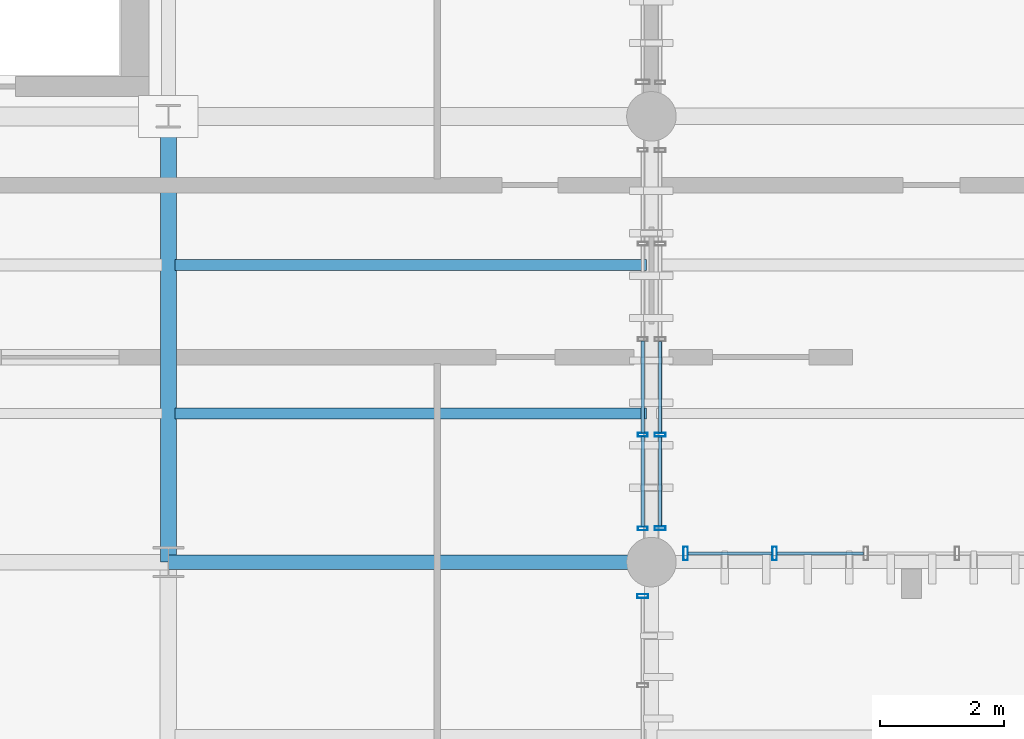
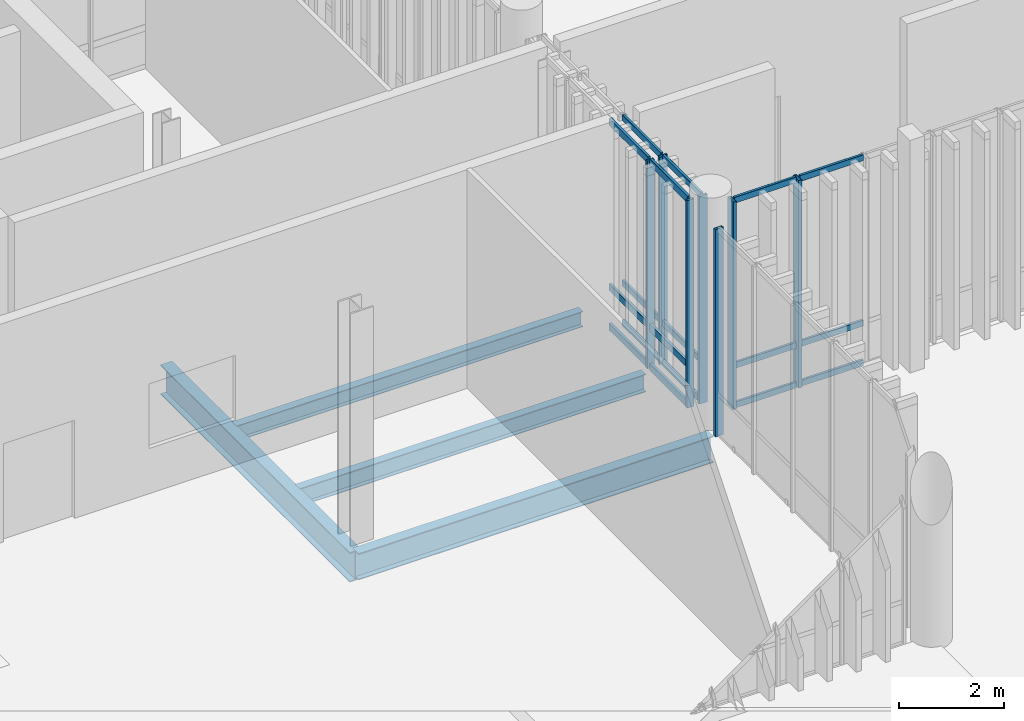
# One storey, part 31 of 112: 25 members, 4 beams, 4 elements without a shape of their own.
"""IFC4 building model written with IfcOpenShell, lengths in metres."""

from ifc_helpers import new_model, si_unit, direction, frame, origin_with_axes, origin_2d_with_axis, place, context, subcontext, project, spatial, hollow_rectangle, i_section, extrude, material, material_profile, profile_set, type_object, element, aggregate, save


model = new_model("IFC4")

# Units and contexts
model_context = context("Model", 3, precision=1e-05, world=origin_with_axes(), true_north=direction((0.0, 1.0)))
body_context = subcontext(model_context, "Body", "Model", "MODEL_VIEW")
ifc_project = project(units=[si_unit("LENGTHUNIT", "METRE"), si_unit("AREAUNIT", "SQUARE_METRE"), si_unit("VOLUMEUNIT", "CUBIC_METRE"), si_unit("PLANEANGLEUNIT", "RADIAN"), si_unit("MASSUNIT", "GRAM", prefix="KILO"), si_unit("THERMODYNAMICTEMPERATUREUNIT", "KELVIN")], contexts=[model_context])

# Site, building, storey
site_placement = place(None, origin_with_axes())
site = spatial("IfcSite", under=ifc_project, at=site_placement, CompositionType="ELEMENT")
building_placement = place(site_placement, origin_with_axes())
building = spatial("IfcBuilding", under=site, at=building_placement, Name="Montbau Bow Law Courts", CompositionType="ELEMENT")
storey_placement = place(building_placement, origin_with_axes())
storey = spatial("IfcBuildingStorey", under=building, at=storey_placement, Name="L00", CompositionType="ELEMENT", Elevation=0.0)

# Beams
ifc_material_1 = material(Name="Steel CSA G40.21 Grade 350W (350 MPa)", Category="steel")
ifc_material_profile_1 = material_profile(ifc_material_1, i_section(OverallWidth=0.254, OverallDepth=0.688, WebThickness=0.0131, FlangeThickness=0.0211, at=origin_2d_with_axis()), Name="W690X152", Category="Main", Priority=0)
ifc_profile_set_1 = profile_set([ifc_material_profile_1], Name="Steel CSA G40.21 Grade 350W (350 MPa)")
beam_type_1 = type_object("IfcBeamType", Name="B-FLR-04", PredefinedType="BEAM", material=ifc_profile_set_1)
beam_1_placement = place(None, frame((39.0, 39.0, -0.684), z_axis=(0.0, 1.0, 0.0), x_axis=(-1.0, 0.0, 0.0)))
element("IfcBeam", 1, at=beam_1_placement, inside=storey, type_object=beam_type_1, Name="BM-L00-S0264:bm2_0267", PredefinedType="BEAM", context=body_context, shape_type="SweptSolid", body=[
    extrude(i_section(OverallWidth=0.254, OverallDepth=0.688, WebThickness=0.0131, FlangeThickness=0.0211, at=origin_2d_with_axis()), origin_with_axes(), (0.0, 0.0, 1.0), 7.2),
])
ifc_material_profile_2 = material_profile(ifc_material_1, i_section(OverallWidth=0.229, OverallDepth=0.612, WebThickness=0.0119, FlangeThickness=0.0196, at=origin_2d_with_axis()), Name="W610X125", Category="Main", Priority=0)
ifc_profile_set_2 = profile_set([ifc_material_profile_2], Name="Steel CSA G40.21 Grade 350W (350 MPa)")
beam_type_2 = type_object("IfcBeamType", Name="B-FLR-05", PredefinedType="BEAM", material=ifc_profile_set_2)
beam_2_placement = place(None, frame((39.0, 39.0, -0.646), z_axis=(1.0, 0.0, 0.0), x_axis=(0.0, 1.0, 0.0)))
element("IfcBeam", 2, at=beam_2_placement, inside=storey, type_object=beam_type_2, Name="BM-L00-S0187:bm2_0190", PredefinedType="BEAM", context=body_context, shape_type="SweptSolid", body=[
    extrude(i_section(OverallWidth=0.229, OverallDepth=0.612, WebThickness=0.0119, FlangeThickness=0.0196, at=origin_2d_with_axis()), origin_with_axes(), (0.0, 0.0, 1.0), 7.8),
])
ifc_material_profile_3 = material_profile(ifc_material_1, i_section(OverallWidth=0.179, OverallDepth=0.41, WebThickness=0.0088, FlangeThickness=0.0144, at=origin_2d_with_axis()), Name="W410X67", Category="Main", Priority=0)
ifc_profile_set_3 = profile_set([ifc_material_profile_3], Name="Steel CSA G40.21 Grade 350W (350 MPa)")
beam_type_3 = type_object("IfcBeamType", Name="B-JST-02", PredefinedType="JOIST", material=ifc_profile_set_3)
beam_3_placement = place(None, frame((39.103, 41.4, -0.545), z_axis=(1.0, 0.0, 0.0), x_axis=(0.0, 1.0, 0.0)))
element("IfcBeam", 3, at=beam_3_placement, inside=storey, type_object=beam_type_3, Name="JST-L00-S0037:jst2_0037", PredefinedType="JOIST", context=body_context, shape_type="SweptSolid", body=[
    extrude(i_section(OverallWidth=0.179, OverallDepth=0.41, WebThickness=0.0088, FlangeThickness=0.0144, at=origin_2d_with_axis()), origin_with_axes(), (0.0, 0.0, 1.0), 7.616),
])
ifc_material_profile_4 = material_profile(ifc_material_1, i_section(OverallWidth=0.172, OverallDepth=0.358, WebThickness=0.0079, FlangeThickness=0.0131, at=origin_2d_with_axis()), Name="W360X57", Category="Main", Priority=0)
ifc_profile_set_4 = profile_set([ifc_material_profile_4], Name="Steel CSA G40.21 Grade 350W (350 MPa)")
beam_type_4 = type_object("IfcBeamType", Name="B-JST-03", PredefinedType="JOIST", material=ifc_profile_set_4)
beam_4_placement = place(None, frame((39.103, 43.8, -0.519), z_axis=(1.0, 0.0, 0.0), x_axis=(0.0, 1.0, 0.0)))
element("IfcBeam", 4, at=beam_4_placement, inside=storey, type_object=beam_type_4, Name="JST-L00-S0038:jst2_0038", PredefinedType="JOIST", context=body_context, shape_type="SweptSolid", body=[
    extrude(i_section(OverallWidth=0.172, OverallDepth=0.358, WebThickness=0.0079, FlangeThickness=0.0131, at=origin_2d_with_axis()), origin_with_axes(), (0.0, 0.0, 1.0), 7.616),
])

# Curtain wall, members
ifc_material_2 = material(Name="Thermally Broken Extruded Aluminium AA 6063-T6", Category="aluminium")
curtain_wall_type_1 = type_object("IfcCurtainWallType", Name="CW-CRM-01", PredefinedType="NOTDEFINED", material=ifc_material_2)
curtain_wall_1_placement = place(None, frame((47.315, 39.14, 0.0), z_axis=(0.0, 0.0, 1.0), x_axis=(1.0, 0.0, 0.0)))
curtain_wall_1 = element("IfcCurtainWall", 5, at=curtain_wall_1_placement, inside=storey, type_object=curtain_wall_type_1, Name="CW-L00-123:cw_0123", PredefinedType="NOTDEFINED")
ifc_material_profile_5 = material_profile(ifc_material_2, hollow_rectangle(XDim=0.075, YDim=0.22, WallThickness=0.005, InnerFilletRadius=0.01, OuterFilletRadius=0.005, at=origin_2d_with_axis()), Name="CWM-220X75", Category="Main", Priority=0)
ifc_profile_set_5 = profile_set([ifc_material_profile_5], Name="Thermally Broken Extruded Aluminium AA 6063-T6")
member_type_1 = type_object("IfcMemberType", Name="M-MUL-01", PredefinedType="MULLION", material=ifc_profile_set_5)
member_1_placement = place(None, frame((47.352, 39.14, 0.0), z_axis=(0.0, 0.0, 1.0), x_axis=(1.0, 0.0, 0.0)))
member_1 = element("IfcMember", 6, at=member_1_placement, type_object=member_type_1, Name="CW-L00-123-M01:cw_0123_M01", PredefinedType="MULLION", context=body_context, shape_type="SweptSolid", body=[
    extrude(hollow_rectangle(XDim=0.075, YDim=0.22, WallThickness=0.005, InnerFilletRadius=0.01, OuterFilletRadius=0.005, at=origin_2d_with_axis()), origin_with_axes(), (0.0, 0.0, 1.0), 4.82),
])
member_2_placement = place(None, frame((48.789, 39.14, 0.0), z_axis=(0.0, 0.0, 1.0), x_axis=(1.0, 0.0, 0.0)))
member_2 = element("IfcMember", 7, at=member_2_placement, type_object=member_type_1, Name="CW-L00-123-M02:cw_0123_M02", PredefinedType="MULLION", context=body_context, shape_type="SweptSolid", body=[
    extrude(hollow_rectangle(XDim=0.075, YDim=0.22, WallThickness=0.005, InnerFilletRadius=0.01, OuterFilletRadius=0.005, at=origin_2d_with_axis()), origin_with_axes(), (0.0, 0.0, 1.0), 4.82),
])

# Curtain wall, member
curtain_wall_type_2 = type_object("IfcCurtainWallType", Name="CW-TRC-01", PredefinedType="NOTDEFINED", material=ifc_material_2)
curtain_wall_2_placement = place(None, frame((46.66, 31.115, 0.0), z_axis=(0.0, 0.0, 1.0), x_axis=(1.0, 0.0, 0.0)))
curtain_wall_2 = element("IfcCurtainWall", 8, at=curtain_wall_2_placement, inside=storey, type_object=curtain_wall_type_2, Name="CW-L00-013:cw_0013", PredefinedType="NOTDEFINED")
ifc_material_profile_6 = material_profile(ifc_material_2, hollow_rectangle(XDim=0.065, YDim=0.18, WallThickness=0.005, InnerFilletRadius=0.01, OuterFilletRadius=0.005, at=origin_2d_with_axis()), Name="CWM-180X65", Category="Main", Priority=0)
ifc_profile_set_6 = profile_set([ifc_material_profile_6], Name="Thermally Broken Extruded Aluminium AA 6063-T6")
member_type_2 = type_object("IfcMemberType", Name="M-MUL-02", PredefinedType="MULLION", material=ifc_profile_set_6)
member_3_placement = place(None, frame((46.66, 38.453, 0.0), z_axis=(0.0, 0.0, 1.0), x_axis=(0.0, 1.0, 0.0)))
member_3 = element("IfcMember", 9, at=member_3_placement, type_object=member_type_2, Name="CW-L00-013-M06:cw_0013_M06", PredefinedType="MULLION", context=body_context, shape_type="SweptSolid", body=[
    extrude(hollow_rectangle(XDim=0.065, YDim=0.18, WallThickness=0.005, InnerFilletRadius=0.01, OuterFilletRadius=0.005, at=origin_2d_with_axis()), origin_with_axes(), (0.0, 0.0, 1.0), 4.82),
])
aggregate(curtain_wall_2, [member_3])

# Curtain wall, members
curtain_wall_3_placement = place(None, frame((46.94, 39.515, 0.0), z_axis=(0.0, 0.0, 1.0), x_axis=(1.0, 0.0, 0.0)))
curtain_wall_3 = element("IfcCurtainWall", 10, at=curtain_wall_3_placement, inside=storey, type_object=curtain_wall_type_1, Name="CW-L00-133:cw_0133", PredefinedType="NOTDEFINED")
member_4_placement = place(None, frame((46.94, 39.548, 0.0), z_axis=(0.0, 0.0, 1.0), x_axis=(0.0, 1.0, 0.0)))
member_4 = element("IfcMember", 11, at=member_4_placement, type_object=member_type_2, Name="CW-L00-133-M01:cw_0133_M01", PredefinedType="MULLION", context=body_context, shape_type="SweptSolid", body=[
    extrude(hollow_rectangle(XDim=0.065, YDim=0.18, WallThickness=0.005, InnerFilletRadius=0.01, OuterFilletRadius=0.005, at=origin_2d_with_axis()), origin_with_axes(), (0.0, 0.0, 1.0), 4.82),
])
member_5_placement = place(None, frame((46.94, 41.058, 0.0), z_axis=(0.0, 0.0, 1.0), x_axis=(0.0, 1.0, 0.0)))
member_5 = element("IfcMember", 12, at=member_5_placement, type_object=member_type_2, Name="CW-L00-133-M02:cw_0133_M02", PredefinedType="MULLION", context=body_context, shape_type="SweptSolid", body=[
    extrude(hollow_rectangle(XDim=0.065, YDim=0.18, WallThickness=0.005, InnerFilletRadius=0.01, OuterFilletRadius=0.005, at=origin_2d_with_axis()), origin_with_axes(), (0.0, 0.0, 1.0), 4.82),
])

curtain_wall_4_placement = place(None, frame((46.66, 39.515, 0.0), z_axis=(0.0, 0.0, 1.0), x_axis=(1.0, 0.0, 0.0)))
curtain_wall_4 = element("IfcCurtainWall", 13, at=curtain_wall_4_placement, inside=storey, type_object=curtain_wall_type_2, Name="CW-L00-014:cw_0014", PredefinedType="NOTDEFINED")
ifc_material_profile_7 = material_profile(ifc_material_2, hollow_rectangle(XDim=0.06, YDim=0.16, WallThickness=0.004, InnerFilletRadius=0.008, OuterFilletRadius=0.004, at=origin_2d_with_axis()), Name="CWM-160X60", Category="Main", Priority=0)
ifc_profile_set_7 = profile_set([ifc_material_profile_7], Name="Thermally Broken Extruded Aluminium AA 6063-T6")
member_type_3 = type_object("IfcMemberType", Name="M-MUL-03", PredefinedType="MULLION", material=ifc_profile_set_7)
member_6_placement = place(None, frame((46.66, 39.545, 0.0), z_axis=(0.0, 0.0, 1.0), x_axis=(0.0, 1.0, 0.0)))
member_6 = element("IfcMember", 14, at=member_6_placement, type_object=member_type_3, Name="CW-L00-014-M01:cw_0014_M01", PredefinedType="MULLION", context=body_context, shape_type="SweptSolid", body=[
    extrude(hollow_rectangle(XDim=0.06, YDim=0.16, WallThickness=0.004, InnerFilletRadius=0.008, OuterFilletRadius=0.004, at=origin_2d_with_axis()), origin_with_axes(), (0.0, 0.0, 1.0), 4.82),
])
member_7_placement = place(None, frame((46.66, 41.058, 0.0), z_axis=(0.0, 0.0, 1.0), x_axis=(0.0, 1.0, 0.0)))
member_7 = element("IfcMember", 15, at=member_7_placement, type_object=member_type_3, Name="CW-L00-014-M02:cw_0014_M02", PredefinedType="MULLION", context=body_context, shape_type="SweptSolid", body=[
    extrude(hollow_rectangle(XDim=0.06, YDim=0.16, WallThickness=0.004, InnerFilletRadius=0.008, OuterFilletRadius=0.004, at=origin_2d_with_axis()), origin_with_axes(), (0.0, 0.0, 1.0), 4.82),
])
ifc_material_profile_8 = material_profile(ifc_material_2, hollow_rectangle(XDim=0.06, YDim=0.16, WallThickness=0.004, InnerFilletRadius=0.008, OuterFilletRadius=0.004, at=origin_2d_with_axis()), Name="CWT-160X60", Category="Main", Priority=0)
ifc_profile_set_8 = profile_set([ifc_material_profile_8], Name="Thermally Broken Extruded Aluminium AA 6063-T6")
member_type_4 = type_object("IfcMemberType", Name="M-TRN-01", PredefinedType="USERDEFINED", material=ifc_profile_set_8)
member_8_placement = place(None, frame((46.66, 39.577, 0.03), z_axis=(0.0, 1.0, 0.0), x_axis=(-1.0, 0.0, 0.0)))
member_8 = element("IfcMember", 16, at=member_8_placement, type_object=member_type_4, Name="CW-L00-014-T01-1:cw_0014_T01_1", ObjectType="TRANSOM", PredefinedType="USERDEFINED", context=body_context, shape_type="SweptSolid", body=[
    extrude(hollow_rectangle(XDim=0.06, YDim=0.16, WallThickness=0.004, InnerFilletRadius=0.008, OuterFilletRadius=0.004, at=origin_2d_with_axis()), origin_with_axes(), (0.0, 0.0, 1.0), 1.449),
])
member_9_placement = place(None, frame((46.66, 39.577, 0.95), z_axis=(0.0, 1.0, 0.0), x_axis=(-1.0, 0.0, 0.0)))
member_9 = element("IfcMember", 17, at=member_9_placement, type_object=member_type_4, Name="CW-L00-014-T01-2:cw_0014_T01_2", ObjectType="TRANSOM", PredefinedType="USERDEFINED", context=body_context, shape_type="SweptSolid", body=[
    extrude(hollow_rectangle(XDim=0.06, YDim=0.16, WallThickness=0.004, InnerFilletRadius=0.008, OuterFilletRadius=0.004, at=origin_2d_with_axis()), origin_with_axes(), (0.0, 0.0, 1.0), 1.449),
])
member_10_placement = place(None, frame((46.66, 39.577, 4.79), z_axis=(0.0, 1.0, 0.0), x_axis=(-1.0, 0.0, 0.0)))
member_10 = element("IfcMember", 18, at=member_10_placement, type_object=member_type_4, Name="CW-L00-014-T01-3:cw_0014_T01_3", ObjectType="TRANSOM", PredefinedType="USERDEFINED", context=body_context, shape_type="SweptSolid", body=[
    extrude(hollow_rectangle(XDim=0.06, YDim=0.16, WallThickness=0.004, InnerFilletRadius=0.008, OuterFilletRadius=0.004, at=origin_2d_with_axis()), origin_with_axes(), (0.0, 0.0, 1.0), 1.449),
])
member_11_placement = place(None, frame((46.66, 41.09, 0.03), z_axis=(0.0, 1.0, 0.0), x_axis=(-1.0, 0.0, 0.0)))
member_11 = element("IfcMember", 19, at=member_11_placement, type_object=member_type_4, Name="CW-L00-014-T02-1:cw_0014_T02_1", ObjectType="TRANSOM", PredefinedType="USERDEFINED", context=body_context, shape_type="SweptSolid", body=[
    extrude(hollow_rectangle(XDim=0.06, YDim=0.16, WallThickness=0.004, InnerFilletRadius=0.008, OuterFilletRadius=0.004, at=origin_2d_with_axis()), origin_with_axes(), (0.0, 0.0, 1.0), 1.478),
])
member_12_placement = place(None, frame((46.66, 41.09, 0.95), z_axis=(0.0, 1.0, 0.0), x_axis=(-1.0, 0.0, 0.0)))
member_12 = element("IfcMember", 20, at=member_12_placement, type_object=member_type_4, Name="CW-L00-014-T02-2:cw_0014_T02_2", ObjectType="TRANSOM", PredefinedType="USERDEFINED", context=body_context, shape_type="SweptSolid", body=[
    extrude(hollow_rectangle(XDim=0.06, YDim=0.16, WallThickness=0.004, InnerFilletRadius=0.008, OuterFilletRadius=0.004, at=origin_2d_with_axis()), origin_with_axes(), (0.0, 0.0, 1.0), 1.478),
])
member_13_placement = place(None, frame((46.66, 41.09, 4.79), z_axis=(0.0, 1.0, 0.0), x_axis=(-1.0, 0.0, 0.0)))
member_13 = element("IfcMember", 21, at=member_13_placement, type_object=member_type_4, Name="CW-L00-014-T02-3:cw_0014_T02_3", ObjectType="TRANSOM", PredefinedType="USERDEFINED", context=body_context, shape_type="SweptSolid", body=[
    extrude(hollow_rectangle(XDim=0.06, YDim=0.16, WallThickness=0.004, InnerFilletRadius=0.008, OuterFilletRadius=0.004, at=origin_2d_with_axis()), origin_with_axes(), (0.0, 0.0, 1.0), 1.478),
])
aggregate(curtain_wall_4, [member_6, member_7, member_8, member_9, member_10, member_11, member_12, member_13])

# Member
ifc_material_profile_9 = material_profile(ifc_material_2, hollow_rectangle(XDim=0.055, YDim=0.14, WallThickness=0.004, InnerFilletRadius=0.008, OuterFilletRadius=0.004, at=origin_2d_with_axis()), Name="CWT-140X55", Category="Main", Priority=0)
ifc_profile_set_9 = profile_set([ifc_material_profile_9], Name="Thermally Broken Extruded Aluminium AA 6063-T6")
member_type_5 = type_object("IfcMemberType", Name="M-TRN-02", PredefinedType="USERDEFINED", material=ifc_profile_set_9)
member_14_placement = place(None, frame((47.391, 39.14, 0.028), z_axis=(1.0, 0.0, 0.0), x_axis=(0.0, 1.0, 0.0)))
member_14 = element("IfcMember", 22, at=member_14_placement, type_object=member_type_5, Name="CW-L00-123-T01-1:cw_0123_T01_1", ObjectType="TRANSOM", PredefinedType="USERDEFINED", context=body_context, shape_type="SweptSolid", body=[
    extrude(hollow_rectangle(XDim=0.055, YDim=0.14, WallThickness=0.004, InnerFilletRadius=0.008, OuterFilletRadius=0.004, at=origin_2d_with_axis()), origin_with_axes(), (0.0, 0.0, 1.0), 1.358),
])

member_15_placement = place(None, frame((47.391, 39.14, 0.95), z_axis=(1.0, 0.0, 0.0), x_axis=(0.0, 1.0, 0.0)))
member_15 = element("IfcMember", 23, at=member_15_placement, type_object=member_type_5, Name="CW-L00-123-T01-2:cw_0123_T01_2", ObjectType="TRANSOM", PredefinedType="USERDEFINED", context=body_context, shape_type="SweptSolid", body=[
    extrude(hollow_rectangle(XDim=0.055, YDim=0.14, WallThickness=0.004, InnerFilletRadius=0.008, OuterFilletRadius=0.004, at=origin_2d_with_axis()), origin_with_axes(), (0.0, 0.0, 1.0), 1.358),
])

member_16_placement = place(None, frame((47.391, 39.14, 4.793), z_axis=(1.0, 0.0, 0.0), x_axis=(0.0, 1.0, 0.0)))
member_16 = element("IfcMember", 24, at=member_16_placement, type_object=member_type_5, Name="CW-L00-123-T01-3:cw_0123_T01_3", ObjectType="TRANSOM", PredefinedType="USERDEFINED", context=body_context, shape_type="SweptSolid", body=[
    extrude(hollow_rectangle(XDim=0.055, YDim=0.14, WallThickness=0.004, InnerFilletRadius=0.008, OuterFilletRadius=0.004, at=origin_2d_with_axis()), origin_with_axes(), (0.0, 0.0, 1.0), 1.358),
])

member_17_placement = place(None, frame((48.829, 39.14, 0.028), z_axis=(1.0, 0.0, 0.0), x_axis=(0.0, 1.0, 0.0)))
member_17 = element("IfcMember", 25, at=member_17_placement, type_object=member_type_5, Name="CW-L00-123-T02-1:cw_0123_T02_1", ObjectType="TRANSOM", PredefinedType="USERDEFINED", context=body_context, shape_type="SweptSolid", body=[
    extrude(hollow_rectangle(XDim=0.055, YDim=0.14, WallThickness=0.004, InnerFilletRadius=0.008, OuterFilletRadius=0.004, at=origin_2d_with_axis()), origin_with_axes(), (0.0, 0.0, 1.0), 1.395),
])

member_18_placement = place(None, frame((48.829, 39.14, 0.95), z_axis=(1.0, 0.0, 0.0), x_axis=(0.0, 1.0, 0.0)))
member_18 = element("IfcMember", 26, at=member_18_placement, type_object=member_type_5, Name="CW-L00-123-T02-2:cw_0123_T02_2", ObjectType="TRANSOM", PredefinedType="USERDEFINED", context=body_context, shape_type="SweptSolid", body=[
    extrude(hollow_rectangle(XDim=0.055, YDim=0.14, WallThickness=0.004, InnerFilletRadius=0.008, OuterFilletRadius=0.004, at=origin_2d_with_axis()), origin_with_axes(), (0.0, 0.0, 1.0), 1.395),
])

member_19_placement = place(None, frame((48.829, 39.14, 4.793), z_axis=(1.0, 0.0, 0.0), x_axis=(0.0, 1.0, 0.0)))
member_19 = element("IfcMember", 27, at=member_19_placement, type_object=member_type_5, Name="CW-L00-123-T02-3:cw_0123_T02_3", ObjectType="TRANSOM", PredefinedType="USERDEFINED", context=body_context, shape_type="SweptSolid", body=[
    extrude(hollow_rectangle(XDim=0.055, YDim=0.14, WallThickness=0.004, InnerFilletRadius=0.008, OuterFilletRadius=0.004, at=origin_2d_with_axis()), origin_with_axes(), (0.0, 0.0, 1.0), 1.395),
])

aggregate(curtain_wall_1, [member_1, member_2, member_14, member_15, member_16, member_17, member_18, member_19])

member_20_placement = place(None, frame((46.94, 39.583, 0.028), z_axis=(0.0, 1.0, 0.0), x_axis=(-1.0, 0.0, 0.0)))
member_20 = element("IfcMember", 28, at=member_20_placement, type_object=member_type_5, Name="CW-L00-133-T01-1:cw_0133_T01_1", ObjectType="TRANSOM", PredefinedType="USERDEFINED", context=body_context, shape_type="SweptSolid", body=[
    extrude(hollow_rectangle(XDim=0.055, YDim=0.14, WallThickness=0.004, InnerFilletRadius=0.008, OuterFilletRadius=0.004, at=origin_2d_with_axis()), origin_with_axes(), (0.0, 0.0, 1.0), 1.44),
])

member_21_placement = place(None, frame((46.94, 39.583, 0.95), z_axis=(0.0, 1.0, 0.0), x_axis=(-1.0, 0.0, 0.0)))
member_21 = element("IfcMember", 29, at=member_21_placement, type_object=member_type_5, Name="CW-L00-133-T01-2:cw_0133_T01_2", ObjectType="TRANSOM", PredefinedType="USERDEFINED", context=body_context, shape_type="SweptSolid", body=[
    extrude(hollow_rectangle(XDim=0.055, YDim=0.14, WallThickness=0.004, InnerFilletRadius=0.008, OuterFilletRadius=0.004, at=origin_2d_with_axis()), origin_with_axes(), (0.0, 0.0, 1.0), 1.44),
])

member_22_placement = place(None, frame((46.94, 39.583, 4.793), z_axis=(0.0, 1.0, 0.0), x_axis=(-1.0, 0.0, 0.0)))
member_22 = element("IfcMember", 30, at=member_22_placement, type_object=member_type_5, Name="CW-L00-133-T01-3:cw_0133_T01_3", ObjectType="TRANSOM", PredefinedType="USERDEFINED", context=body_context, shape_type="SweptSolid", body=[
    extrude(hollow_rectangle(XDim=0.055, YDim=0.14, WallThickness=0.004, InnerFilletRadius=0.008, OuterFilletRadius=0.004, at=origin_2d_with_axis()), origin_with_axes(), (0.0, 0.0, 1.0), 1.44),
])

member_23_placement = place(None, frame((46.94, 41.092, 0.028), z_axis=(0.0, 1.0, 0.0), x_axis=(-1.0, 0.0, 0.0)))
member_23 = element("IfcMember", 31, at=member_23_placement, type_object=member_type_5, Name="CW-L00-133-T02-1:cw_0133_T02_1", ObjectType="TRANSOM", PredefinedType="USERDEFINED", context=body_context, shape_type="SweptSolid", body=[
    extrude(hollow_rectangle(XDim=0.055, YDim=0.14, WallThickness=0.004, InnerFilletRadius=0.008, OuterFilletRadius=0.004, at=origin_2d_with_axis()), origin_with_axes(), (0.0, 0.0, 1.0), 1.473),
])

member_24_placement = place(None, frame((46.94, 41.092, 0.95), z_axis=(0.0, 1.0, 0.0), x_axis=(-1.0, 0.0, 0.0)))
member_24 = element("IfcMember", 32, at=member_24_placement, type_object=member_type_5, Name="CW-L00-133-T02-2:cw_0133_T02_2", ObjectType="TRANSOM", PredefinedType="USERDEFINED", context=body_context, shape_type="SweptSolid", body=[
    extrude(hollow_rectangle(XDim=0.055, YDim=0.14, WallThickness=0.004, InnerFilletRadius=0.008, OuterFilletRadius=0.004, at=origin_2d_with_axis()), origin_with_axes(), (0.0, 0.0, 1.0), 1.473),
])

member_25_placement = place(None, frame((46.94, 41.092, 4.793), z_axis=(0.0, 1.0, 0.0), x_axis=(-1.0, 0.0, 0.0)))
member_25 = element("IfcMember", 33, at=member_25_placement, type_object=member_type_5, Name="CW-L00-133-T02-3:cw_0133_T02_3", ObjectType="TRANSOM", PredefinedType="USERDEFINED", context=body_context, shape_type="SweptSolid", body=[
    extrude(hollow_rectangle(XDim=0.055, YDim=0.14, WallThickness=0.004, InnerFilletRadius=0.008, OuterFilletRadius=0.004, at=origin_2d_with_axis()), origin_with_axes(), (0.0, 0.0, 1.0), 1.473),
])

aggregate(curtain_wall_3, [member_4, member_5, member_20, member_21, member_22, member_23, member_24, member_25])

save(model, "model.ifc")
